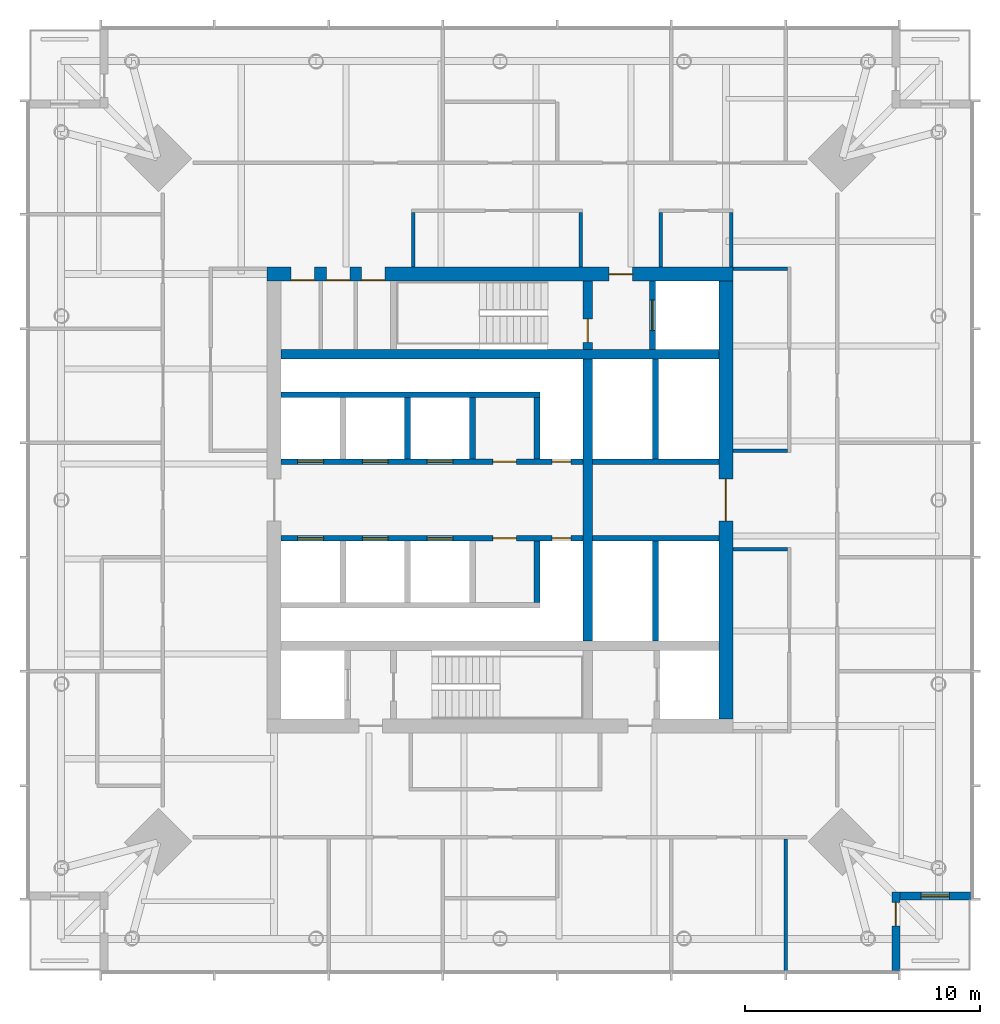
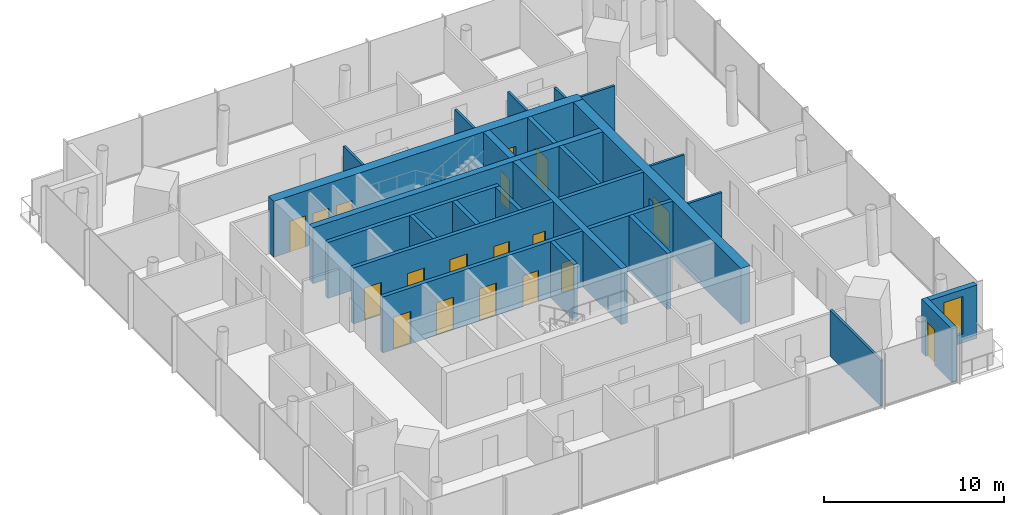
# One storey, part 5 of 7: 27 walls, 18 doors, 1 window, 19 openings.
"""IFC4 building model written with IfcOpenShell, lengths in metres."""

from ifc_helpers import new_model, si_unit, direction, frame, frame_2d, origin, place, context, subcontext, project, spatial, rectangle, extrude, material, layer, layer_set, type_object, element, fill, save


model = new_model("IFC4")

# Units and contexts
model_context = context("Model", 3, precision=1e-05, world=origin(), true_north=direction((0.0, 1.0)))
body_context = subcontext(model_context, "Body", "Model", "MODEL_VIEW")
ifc_project = project(units=[si_unit("LENGTHUNIT", "METRE"), si_unit("AREAUNIT", "SQUARE_METRE"), si_unit("VOLUMEUNIT", "CUBIC_METRE"), si_unit("PLANEANGLEUNIT", "RADIAN"), si_unit("MASSUNIT", "GRAM", prefix="KILO")], contexts=[model_context])

# Site, building, storey
site_placement = place(None, origin())
site = spatial("IfcSite", under=ifc_project, at=site_placement, CompositionType="ELEMENT")
building_placement = place(site_placement, origin())
building = spatial("IfcBuilding", under=site, at=building_placement, Name="Ostroluk Exchange", CompositionType="ELEMENT")
storey_placement = place(building_placement, frame((0.0, 0.0, 188.199951171875)))
storey = spatial("IfcBuildingStorey", under=building, at=storey_placement, Name="L48", CompositionType="ELEMENT", Elevation=188.199951171875)

# Walls
ifc_material_1 = material(Name="Concrete C50/60", Category="concrete")
ifc_layer_1 = layer(ifc_material_1, 0.39990234375)
ifc_layer_set_1 = layer_set([ifc_layer_1], Name="Core cross wall 400 C50/60")
wall_type_1 = type_object("IfcWallType", Name="Core cross wall 400 C50/60", PredefinedType="SHEAR", material=ifc_layer_set_1)
wall_1_placement = place(storey_placement, frame((35.699951171875, 52.199951171875, 0.0), z_axis=(0.0, 0.0, 1.0), x_axis=(1.0, 0.0, 0.0)))
element("IfcWall", 1, at=wall_1_placement, inside=storey, type_object=wall_type_1, Name="T1 core wall XN", PredefinedType="SHEAR", context=body_context, shape_type="SweptSolid", body=[
    extrude(rectangle(XDim=18.60009765625, YDim=0.39990234375, at=frame_2d((9.300048828125, 0.0))), origin(), (0.0, 0.0, 1.0), 3.800048828125),
])
wall_2_placement = place(storey_placement, frame((48.72998046875, 40.0, 0.0), z_axis=(0.0, 0.0, 1.0), x_axis=(0.0, 1.0, 0.0)))
element("IfcWall", 2, at=wall_2_placement, inside=storey, type_object=wall_type_1, Name="T1 core wall YE2", PredefinedType="SHEAR", context=body_context, shape_type="SweptSolid", body=[
    extrude(rectangle(XDim=12.0, YDim=0.39990234375, at=frame_2d((6.0, 0.0))), origin(), (0.0, 0.0, 1.0), 3.800048828125),
])

# Wall, opening, door
wall_3_placement = place(storey_placement, frame((48.72998046875, 52.39990234375, 0.0), z_axis=(0.0, 0.0, 1.0), x_axis=(0.0, 1.0, 0.0)))
wall_3 = element("IfcWall", 3, at=wall_3_placement, inside=storey, type_object=wall_type_1, Name="T1 core wall YE3", PredefinedType="SHEAR", context=body_context, shape_type="SweptSolid", body=[
    extrude(rectangle(XDim=2.900146484375, YDim=0.39990234375, at=frame_2d((1.4501953125, 0.0))), origin(), (0.0, 0.0, 1.0), 3.800048828125),
])
opening_1_placement = place(wall_3_placement, frame((0.300048828125, 0.0, 0.0)))
opening_1 = element("IfcOpeningElement", 4, at=opening_1_placement, cuts=wall_3, Name="Opening FD60", PredefinedType="OPENING", context=body_context, shape_type="SweptSolid", body=[
    extrude(rectangle(XDim=1.0, YDim=2.10009765625, at=frame_2d((0.5, 1.050048828125))), frame((0.0, 0.2099609375, 0.0), z_axis=(0.0, -1.0, 0.0), x_axis=(1.0, 0.0, 0.0)), (0.0, 0.0, 1.0), 0.419921875),
])
ifc_material_2 = material(Name="Steel", Category="steel")
door_type_1 = type_object("IfcDoorType", Name="Fire door EI 60 1000 x 2100", OperationType="SINGLE_SWING_LEFT", PredefinedType="DOOR", material=ifc_material_2)
door_1_placement = place(opening_1_placement, origin())
door_1 = element("IfcDoor", 5, at=door_1_placement, inside=storey, type_object=door_type_1, Name="Stair T1-S2 door", OperationType="SINGLE_SWING_LEFT", OverallHeight=2.10009765625, OverallWidth=1.0, PredefinedType="DOOR", context=body_context, shape_type="SweptSolid", body=[
    extrude(rectangle(XDim=1.0, YDim=2.10009765625, at=frame_2d((0.5, 1.050048828125))), frame((0.0, 0.02490234375, 0.0), z_axis=(0.0, -1.0, 0.0), x_axis=(1.0, 0.0, 0.0)), (0.0, 0.0, 1.0), 0.050048828125),
])
fill(opening_1, door_1)

ifc_material_3 = material(Name="Concrete C40/50", Category="concrete")
ifc_layer_2 = layer(ifc_material_3, 0.25)
ifc_layer_set_2 = layer_set([ifc_layer_2], Name="Core shaft wall 250")
wall_type_2 = type_object("IfcWallType", Name="Core shaft wall 250", PredefinedType="SHEAR", material=ifc_layer_set_2)
wall_4_placement = place(storey_placement, frame((51.47509765625, 52.39990234375, 0.0), z_axis=(0.0, 0.0, 1.0), x_axis=(0.0, 1.0, 0.0)))
wall_4 = element("IfcWall", 6, at=wall_4_placement, inside=storey, type_object=wall_type_2, Name="Firefighting lift shaft wall", PredefinedType="SHEAR", context=body_context, shape_type="SweptSolid", body=[
    extrude(rectangle(XDim=2.900146484375, YDim=0.25, at=frame_2d((1.4501953125, 0.0))), origin(), (0.0, 0.0, 1.0), 3.800048828125),
])
opening_2_placement = place(wall_4_placement, frame((0.800048828125, 0.0, 0.0)))
opening_2 = element("IfcOpeningElement", 7, at=opening_2_placement, cuts=wall_4, Name="Opening LD2", PredefinedType="OPENING", context=body_context, shape_type="SweptSolid", body=[
    extrude(rectangle(XDim=1.300048828125, YDim=2.199951171875, at=frame_2d((0.64990234375, 1.10009765625))), frame((0.0, 0.135009765625, 0.0), z_axis=(0.0, -1.0, 0.0), x_axis=(1.0, 0.0, 0.0)), (0.0, 0.0, 1.0), 0.27001953125),
])
ifc_material_4 = material(Name="Stainless steel", Category="steel")
door_type_2 = type_object("IfcDoorType", Name="Lift landing door E 60 1300 x 2200", OperationType="DOUBLE_DOOR_SLIDING", PredefinedType="DOOR", material=ifc_material_4)
door_2_placement = place(opening_2_placement, origin())
door_2 = element("IfcDoor", 8, at=door_2_placement, inside=storey, type_object=door_type_2, Name="Lift FL2 landing door", OperationType="DOUBLE_DOOR_SLIDING", OverallHeight=2.199951171875, OverallWidth=1.300048828125, PredefinedType="DOOR", context=body_context, shape_type="SweptSolid", body=[
    extrude(rectangle(XDim=1.300048828125, YDim=2.199951171875, at=frame_2d((0.64990234375, 1.10009765625))), frame((0.0, 0.02490234375, 0.0), z_axis=(0.0, -1.0, 0.0), x_axis=(1.0, 0.0, 0.0)), (0.0, 0.0, 1.0), 0.050048828125),
])
fill(opening_2, door_2)

# Walls
for number, where, z_axis, x_axis, name in (
    (9, (41.074951171875, 47.75, 0.0), (0.0, 0.0, 1.0), (0.0, 1.0, 0.0), "Lift shaft wall"),
    (10, (43.824951171875, 47.75, 0.0), (0.0, 0.0, 1.0), (0.0, 1.0, 0.0), "Lift shaft wall"),
    (11, (46.574951171875, 47.75, 0.0), (0.0, 0.0, 1.0), (0.0, 1.0, 0.0), "Lift shaft wall"),
):
    element("IfcWall", number, at=place(storey_placement, frame(where, z_axis=z_axis, x_axis=x_axis)), inside=storey, type_object=wall_type_2, Name=name, PredefinedType="SHEAR", context=body_context, shape_type="SweptSolid", body=[
        extrude(rectangle(XDim=2.60009765625, YDim=0.25, at=frame_2d((1.300048828125, 0.0))), origin(), (0.0, 0.0, 1.0), 3.800048828125),
    ])
wall_5_placement = place(storey_placement, frame((35.699951171875, 50.47509765625, 0.0), z_axis=(0.0, 0.0, 1.0), x_axis=(1.0, 0.0, 0.0)))
element("IfcWall", 12, at=wall_5_placement, inside=storey, type_object=wall_type_2, Name="Lift shaft wall", PredefinedType="SHEAR", context=body_context, shape_type="SweptSolid", body=[
    extrude(rectangle(XDim=11.0, YDim=0.25, at=frame_2d((5.5, 0.0))), origin(), (0.0, 0.0, 1.0), 3.800048828125),
])

# Wall, openings, doors
wall_6_placement = place(storey_placement, frame((35.699951171875, 47.625, 0.0), z_axis=(0.0, 0.0, 1.0), x_axis=(1.0, 0.0, 0.0)))
wall_6 = element("IfcWall", 13, at=wall_6_placement, inside=storey, type_object=wall_type_2, Name="Lift shaft front wall", PredefinedType="SHEAR", context=body_context, shape_type="SweptSolid", body=[
    extrude(rectangle(XDim=12.830078125, YDim=0.25, at=frame_2d((6.4150390625, 0.0))), origin(), (0.0, 0.0, 1.0), 3.800048828125),
])
opening_3_placement = place(wall_6_placement, frame((0.699951171875, 0.0, 0.0)))
opening_3 = element("IfcOpeningElement", 14, at=opening_3_placement, cuts=wall_6, Name="Opening LD", PredefinedType="OPENING", context=body_context, shape_type="SweptSolid", body=[
    extrude(rectangle(XDim=1.10009765625, YDim=2.199951171875, at=frame_2d((0.550048828125, 1.10009765625))), frame((0.0, 0.135009765625, 0.0), z_axis=(0.0, -1.0, 0.0), x_axis=(1.0, 0.0, 0.0)), (0.0, 0.0, 1.0), 0.27001953125),
])
opening_4_placement = place(wall_6_placement, frame((3.449951171875, 0.0, 0.0)))
opening_4 = element("IfcOpeningElement", 15, at=opening_4_placement, cuts=wall_6, Name="Opening LD", PredefinedType="OPENING", context=body_context, shape_type="SweptSolid", body=[
    extrude(rectangle(XDim=1.10009765625, YDim=2.199951171875, at=frame_2d((0.550048828125, 1.10009765625))), frame((0.0, 0.135009765625, 0.0), z_axis=(0.0, -1.0, 0.0), x_axis=(1.0, 0.0, 0.0)), (0.0, 0.0, 1.0), 0.27001953125),
])
opening_5_placement = place(wall_6_placement, frame((6.199951171875, 0.0, 0.0)))
opening_5 = element("IfcOpeningElement", 16, at=opening_5_placement, cuts=wall_6, Name="Opening LD", PredefinedType="OPENING", context=body_context, shape_type="SweptSolid", body=[
    extrude(rectangle(XDim=1.10009765625, YDim=2.199951171875, at=frame_2d((0.550048828125, 1.10009765625))), frame((0.0, 0.135009765625, 0.0), z_axis=(0.0, -1.0, 0.0), x_axis=(1.0, 0.0, 0.0)), (0.0, 0.0, 1.0), 0.27001953125),
])
opening_6_placement = place(wall_6_placement, frame((9.0, 0.0, 0.0)))
opening_6 = element("IfcOpeningElement", 17, at=opening_6_placement, cuts=wall_6, Name="Opening FD60", PredefinedType="OPENING", context=body_context, shape_type="SweptSolid", body=[
    extrude(rectangle(XDim=1.0, YDim=2.10009765625, at=frame_2d((0.5, 1.050048828125))), frame((0.0, 0.135009765625, 0.0), z_axis=(0.0, -1.0, 0.0), x_axis=(1.0, 0.0, 0.0)), (0.0, 0.0, 1.0), 0.27001953125),
])
opening_7_placement = place(wall_6_placement, frame((11.514892578125, 0.0, 0.0)))
opening_7 = element("IfcOpeningElement", 18, at=opening_7_placement, cuts=wall_6, Name="Opening RD60", PredefinedType="OPENING", context=body_context, shape_type="SweptSolid", body=[
    extrude(rectangle(XDim=0.800048828125, YDim=2.0, at=frame_2d((0.39990234375, 1.0))), frame((0.0, 0.135009765625, 0.0), z_axis=(0.0, -1.0, 0.0), x_axis=(1.0, 0.0, 0.0)), (0.0, 0.0, 1.0), 0.27001953125),
])
door_3_placement = place(opening_6_placement, origin())
door_3 = element("IfcDoor", 19, at=door_3_placement, inside=storey, type_object=door_type_1, Name="Core room door", OperationType="SINGLE_SWING_RIGHT", OverallHeight=2.10009765625, OverallWidth=1.0, PredefinedType="DOOR", context=body_context, shape_type="SweptSolid", body=[
    extrude(rectangle(XDim=1.0, YDim=2.10009765625, at=frame_2d((0.5, 1.050048828125))), frame((0.0, 0.02490234375, 0.0), z_axis=(0.0, -1.0, 0.0), x_axis=(1.0, 0.0, 0.0)), (0.0, 0.0, 1.0), 0.050048828125),
])
fill(opening_6, door_3)
ifc_material_5 = material(Name="Stainless steel", Category="steel")
door_type_3 = type_object("IfcDoorType", Name="Lift landing door E 60 1100 x 2200", OperationType="DOUBLE_DOOR_SLIDING", PredefinedType="DOOR", material=ifc_material_5)
door_4_placement = place(opening_3_placement, origin())
door_4 = element("IfcDoor", 20, at=door_4_placement, inside=storey, type_object=door_type_3, Name="Lift PL-H1 landing door", OperationType="DOUBLE_DOOR_SLIDING", OverallHeight=2.199951171875, OverallWidth=1.10009765625, PredefinedType="DOOR", context=body_context, shape_type="SweptSolid", body=[
    extrude(rectangle(XDim=1.10009765625, YDim=2.199951171875, at=frame_2d((0.550048828125, 1.10009765625))), frame((0.0, 0.02490234375, 0.0), z_axis=(0.0, -1.0, 0.0), x_axis=(1.0, 0.0, 0.0)), (0.0, 0.0, 1.0), 0.050048828125),
])
fill(opening_3, door_4)
door_5_placement = place(opening_4_placement, origin())
door_5 = element("IfcDoor", 21, at=door_5_placement, inside=storey, type_object=door_type_3, Name="Lift PL-H2 landing door", OperationType="DOUBLE_DOOR_SLIDING", OverallHeight=2.199951171875, OverallWidth=1.10009765625, PredefinedType="DOOR", context=body_context, shape_type="SweptSolid", body=[
    extrude(rectangle(XDim=1.10009765625, YDim=2.199951171875, at=frame_2d((0.550048828125, 1.10009765625))), frame((0.0, 0.02490234375, 0.0), z_axis=(0.0, -1.0, 0.0), x_axis=(1.0, 0.0, 0.0)), (0.0, 0.0, 1.0), 0.050048828125),
])
fill(opening_4, door_5)
door_6_placement = place(opening_5_placement, origin())
door_6 = element("IfcDoor", 22, at=door_6_placement, inside=storey, type_object=door_type_3, Name="Lift PL-H3 landing door", OperationType="DOUBLE_DOOR_SLIDING", OverallHeight=2.199951171875, OverallWidth=1.10009765625, PredefinedType="DOOR", context=body_context, shape_type="SweptSolid", body=[
    extrude(rectangle(XDim=1.10009765625, YDim=2.199951171875, at=frame_2d((0.550048828125, 1.10009765625))), frame((0.0, 0.02490234375, 0.0), z_axis=(0.0, -1.0, 0.0), x_axis=(1.0, 0.0, 0.0)), (0.0, 0.0, 1.0), 0.050048828125),
])
fill(opening_5, door_6)
ifc_material_6 = material(Name="Steel", Category="steel")
door_type_4 = type_object("IfcDoorType", Name="Riser access door EI 60 800 x 2000", OperationType="SINGLE_SWING_LEFT", PredefinedType="DOOR", material=ifc_material_6)
door_7_placement = place(opening_7_placement, origin())
door_7 = element("IfcDoor", 23, at=door_7_placement, inside=storey, type_object=door_type_4, Name="Riser access door", OperationType="SINGLE_SWING_RIGHT", OverallHeight=2.0, OverallWidth=0.800048828125, PredefinedType="DOOR", context=body_context, shape_type="SweptSolid", body=[
    extrude(rectangle(XDim=0.800048828125, YDim=2.0, at=frame_2d((0.39990234375, 1.0))), frame((0.0, 0.02490234375, 0.0), z_axis=(0.0, -1.0, 0.0), x_axis=(1.0, 0.0, 0.0)), (0.0, 0.0, 1.0), 0.050048828125),
])
fill(opening_7, door_7)

# Wall
wall_7_placement = place(storey_placement, frame((46.574951171875, 44.25, 0.0), z_axis=(0.0, 0.0, 1.0), x_axis=(0.0, -1.0, 0.0)))
element("IfcWall", 24, at=wall_7_placement, inside=storey, type_object=wall_type_2, Name="Lift shaft wall", PredefinedType="SHEAR", context=body_context, shape_type="SweptSolid", body=[
    extrude(rectangle(XDim=2.60009765625, YDim=0.25, at=frame_2d((1.300048828125, 0.0))), origin(), (0.0, 0.0, 1.0), 3.800048828125),
])

# Wall, openings, doors
wall_8_placement = place(storey_placement, frame((35.699951171875, 44.375, 0.0), z_axis=(0.0, 0.0, 1.0), x_axis=(1.0, 0.0, 0.0)))
wall_8 = element("IfcWall", 25, at=wall_8_placement, inside=storey, type_object=wall_type_2, Name="Lift shaft front wall", PredefinedType="SHEAR", context=body_context, shape_type="SweptSolid", body=[
    extrude(rectangle(XDim=12.830078125, YDim=0.25, at=frame_2d((6.4150390625, 0.0))), origin(), (0.0, 0.0, 1.0), 3.800048828125),
])
opening_8_placement = place(wall_8_placement, frame((0.699951171875, 0.0, 0.0)))
opening_8 = element("IfcOpeningElement", 26, at=opening_8_placement, cuts=wall_8, Name="Opening LD", PredefinedType="OPENING", context=body_context, shape_type="SweptSolid", body=[
    extrude(rectangle(XDim=1.10009765625, YDim=2.199951171875, at=frame_2d((0.550048828125, 1.10009765625))), frame((0.0, 0.135009765625, 0.0), z_axis=(0.0, -1.0, 0.0), x_axis=(1.0, 0.0, 0.0)), (0.0, 0.0, 1.0), 0.27001953125),
])
opening_9_placement = place(wall_8_placement, frame((3.449951171875, 0.0, 0.0)))
opening_9 = element("IfcOpeningElement", 27, at=opening_9_placement, cuts=wall_8, Name="Opening LD", PredefinedType="OPENING", context=body_context, shape_type="SweptSolid", body=[
    extrude(rectangle(XDim=1.10009765625, YDim=2.199951171875, at=frame_2d((0.550048828125, 1.10009765625))), frame((0.0, 0.135009765625, 0.0), z_axis=(0.0, -1.0, 0.0), x_axis=(1.0, 0.0, 0.0)), (0.0, 0.0, 1.0), 0.27001953125),
])
opening_10_placement = place(wall_8_placement, frame((6.199951171875, 0.0, 0.0)))
opening_10 = element("IfcOpeningElement", 28, at=opening_10_placement, cuts=wall_8, Name="Opening LD", PredefinedType="OPENING", context=body_context, shape_type="SweptSolid", body=[
    extrude(rectangle(XDim=1.10009765625, YDim=2.199951171875, at=frame_2d((0.550048828125, 1.10009765625))), frame((0.0, 0.135009765625, 0.0), z_axis=(0.0, -1.0, 0.0), x_axis=(1.0, 0.0, 0.0)), (0.0, 0.0, 1.0), 0.27001953125),
])
opening_11_placement = place(wall_8_placement, frame((9.0, 0.0, 0.0)))
opening_11 = element("IfcOpeningElement", 29, at=opening_11_placement, cuts=wall_8, Name="Opening FD60", PredefinedType="OPENING", context=body_context, shape_type="SweptSolid", body=[
    extrude(rectangle(XDim=1.0, YDim=2.10009765625, at=frame_2d((0.5, 1.050048828125))), frame((0.0, 0.135009765625, 0.0), z_axis=(0.0, -1.0, 0.0), x_axis=(1.0, 0.0, 0.0)), (0.0, 0.0, 1.0), 0.27001953125),
])
opening_12_placement = place(wall_8_placement, frame((11.514892578125, 0.0, 0.0)))
opening_12 = element("IfcOpeningElement", 30, at=opening_12_placement, cuts=wall_8, Name="Opening RD60", PredefinedType="OPENING", context=body_context, shape_type="SweptSolid", body=[
    extrude(rectangle(XDim=0.800048828125, YDim=2.0, at=frame_2d((0.39990234375, 1.0))), frame((0.0, 0.135009765625, 0.0), z_axis=(0.0, -1.0, 0.0), x_axis=(1.0, 0.0, 0.0)), (0.0, 0.0, 1.0), 0.27001953125),
])
door_8_placement = place(opening_11_placement, origin())
door_8 = element("IfcDoor", 31, at=door_8_placement, inside=storey, type_object=door_type_1, Name="Core room door", OperationType="SINGLE_SWING_RIGHT", OverallHeight=2.10009765625, OverallWidth=1.0, PredefinedType="DOOR", context=body_context, shape_type="SweptSolid", body=[
    extrude(rectangle(XDim=1.0, YDim=2.10009765625, at=frame_2d((0.5, 1.050048828125))), frame((0.0, 0.02490234375, 0.0), z_axis=(0.0, -1.0, 0.0), x_axis=(1.0, 0.0, 0.0)), (0.0, 0.0, 1.0), 0.050048828125),
])
fill(opening_11, door_8)
door_9_placement = place(opening_8_placement, origin())
door_9 = element("IfcDoor", 32, at=door_9_placement, inside=storey, type_object=door_type_3, Name="Lift PL-H4 landing door", OperationType="DOUBLE_DOOR_SLIDING", OverallHeight=2.199951171875, OverallWidth=1.10009765625, PredefinedType="DOOR", context=body_context, shape_type="SweptSolid", body=[
    extrude(rectangle(XDim=1.10009765625, YDim=2.199951171875, at=frame_2d((0.550048828125, 1.10009765625))), frame((0.0, 0.02490234375, 0.0), z_axis=(0.0, -1.0, 0.0), x_axis=(1.0, 0.0, 0.0)), (0.0, 0.0, 1.0), 0.050048828125),
])
fill(opening_8, door_9)
door_10_placement = place(opening_9_placement, origin())
door_10 = element("IfcDoor", 33, at=door_10_placement, inside=storey, type_object=door_type_3, Name="Lift PL-H5 landing door", OperationType="DOUBLE_DOOR_SLIDING", OverallHeight=2.199951171875, OverallWidth=1.10009765625, PredefinedType="DOOR", context=body_context, shape_type="SweptSolid", body=[
    extrude(rectangle(XDim=1.10009765625, YDim=2.199951171875, at=frame_2d((0.550048828125, 1.10009765625))), frame((0.0, 0.02490234375, 0.0), z_axis=(0.0, -1.0, 0.0), x_axis=(1.0, 0.0, 0.0)), (0.0, 0.0, 1.0), 0.050048828125),
])
fill(opening_9, door_10)
door_11_placement = place(opening_10_placement, origin())
door_11 = element("IfcDoor", 34, at=door_11_placement, inside=storey, type_object=door_type_3, Name="Lift PL-H6 landing door", OperationType="DOUBLE_DOOR_SLIDING", OverallHeight=2.199951171875, OverallWidth=1.10009765625, PredefinedType="DOOR", context=body_context, shape_type="SweptSolid", body=[
    extrude(rectangle(XDim=1.10009765625, YDim=2.199951171875, at=frame_2d((0.550048828125, 1.10009765625))), frame((0.0, 0.02490234375, 0.0), z_axis=(0.0, -1.0, 0.0), x_axis=(1.0, 0.0, 0.0)), (0.0, 0.0, 1.0), 0.050048828125),
])
fill(opening_10, door_11)
door_12_placement = place(opening_12_placement, origin())
door_12 = element("IfcDoor", 35, at=door_12_placement, inside=storey, type_object=door_type_4, Name="Riser access door", OperationType="SINGLE_SWING_RIGHT", OverallHeight=2.0, OverallWidth=0.800048828125, PredefinedType="DOOR", context=body_context, shape_type="SweptSolid", body=[
    extrude(rectangle(XDim=0.800048828125, YDim=2.0, at=frame_2d((0.39990234375, 1.0))), frame((0.0, 0.02490234375, 0.0), z_axis=(0.0, -1.0, 0.0), x_axis=(1.0, 0.0, 0.0)), (0.0, 0.0, 1.0), 0.050048828125),
])
fill(opening_12, door_12)

# Walls
wall_9_placement = place(storey_placement, frame((51.614990234375, 47.75, 0.0), z_axis=(0.0, 0.0, 1.0), x_axis=(0.0, 1.0, 0.0)))
element("IfcWall", 36, at=wall_9_placement, inside=storey, type_object=wall_type_2, Name="Lift shaft wall", PredefinedType="SHEAR", context=body_context, shape_type="SweptSolid", body=[
    extrude(rectangle(XDim=4.25, YDim=0.25, at=frame_2d((2.125, 0.0))), origin(), (0.0, 0.0, 1.0), 3.800048828125),
])
wall_10_placement = place(storey_placement, frame((48.929931640625, 47.625, 0.0), z_axis=(0.0, 0.0, 1.0), x_axis=(1.0, 0.0, 0.0)))
element("IfcWall", 37, at=wall_10_placement, inside=storey, type_object=wall_type_2, Name="Lift shaft front wall", PredefinedType="SHEAR", context=body_context, shape_type="SweptSolid", body=[
    extrude(rectangle(XDim=5.3701171875, YDim=0.25, at=frame_2d((2.68505859375, 0.0))), origin(), (0.0, 0.0, 1.0), 3.800048828125),
])
wall_11_placement = place(storey_placement, frame((51.614990234375, 44.25, 0.0), z_axis=(0.0, 0.0, 1.0), x_axis=(0.0, -1.0, 0.0)))
element("IfcWall", 38, at=wall_11_placement, inside=storey, type_object=wall_type_2, Name="Lift shaft wall", PredefinedType="SHEAR", context=body_context, shape_type="SweptSolid", body=[
    extrude(rectangle(XDim=4.25, YDim=0.25, at=frame_2d((2.125, 0.0))), origin(), (0.0, 0.0, 1.0), 3.800048828125),
])
wall_12_placement = place(storey_placement, frame((48.929931640625, 44.375, 0.0), z_axis=(0.0, 0.0, 1.0), x_axis=(1.0, 0.0, 0.0)))
element("IfcWall", 39, at=wall_12_placement, inside=storey, type_object=wall_type_2, Name="Lift shaft front wall", PredefinedType="SHEAR", context=body_context, shape_type="SweptSolid", body=[
    extrude(rectangle(XDim=5.3701171875, YDim=0.25, at=frame_2d((2.68505859375, 0.0))), origin(), (0.0, 0.0, 1.0), 3.800048828125),
])

# Wall, openings, doors
ifc_material_7 = material(Name="Concrete C50/60", Category="concrete")
ifc_layer_3 = layer(ifc_material_7, 0.60009765625)
ifc_layer_set_3 = layer_set([ifc_layer_3], Name="Core wall 600 C50/60")
wall_type_3 = type_object("IfcWallType", Name="Core wall 600 C50/60", PredefinedType="SHEAR", material=ifc_layer_set_3)
wall_13_placement = place(storey_placement, frame((35.10009765625, 55.60009765625, 0.0), z_axis=(0.0, 0.0, 1.0), x_axis=(1.0, 0.0, 0.0)))
wall_13 = element("IfcWall", 40, at=wall_13_placement, inside=storey, type_object=wall_type_3, Name="T1 core wall N", PredefinedType="SHEAR", context=body_context, shape_type="SweptSolid", body=[
    extrude(rectangle(XDim=19.7998046875, YDim=0.60009765625, at=frame_2d((9.89990234375, 0.0))), origin(), (0.0, 0.0, 1.0), 3.800048828125),
])
opening_13_placement = place(wall_13_placement, frame((14.5400390625, 0.0, 0.0)))
opening_13 = element("IfcOpeningElement", 41, at=opening_13_placement, cuts=wall_13, Name="Opening FD60", PredefinedType="OPENING", context=body_context, shape_type="SweptSolid", body=[
    extrude(rectangle(XDim=1.0, YDim=2.10009765625, at=frame_2d((0.5, 1.050048828125))), frame((0.0, 0.31005859375, 0.0), z_axis=(0.0, -1.0, 0.0), x_axis=(1.0, 0.0, 0.0)), (0.0, 0.0, 1.0), 0.6201171875),
])
opening_14_placement = place(wall_13_placement, frame((1.02392578125, 0.0, 0.0)))
opening_14 = element("IfcOpeningElement", 42, at=opening_14_placement, cuts=wall_13, Name="Opening FD60", PredefinedType="OPENING", context=body_context, shape_type="SweptSolid", body=[
    extrude(rectangle(XDim=1.0, YDim=2.10009765625, at=frame_2d((0.5, 1.050048828125))), frame((0.0, 0.31005859375, 0.0), z_axis=(0.0, -1.0, 0.0), x_axis=(1.0, 0.0, 0.0)), (0.0, 0.0, 1.0), 0.6201171875),
])
opening_15_placement = place(wall_13_placement, frame((2.52392578125, 0.0, 0.0)))
opening_15 = element("IfcOpeningElement", 43, at=opening_15_placement, cuts=wall_13, Name="Opening FD60", PredefinedType="OPENING", context=body_context, shape_type="SweptSolid", body=[
    extrude(rectangle(XDim=1.0, YDim=2.10009765625, at=frame_2d((0.5, 1.050048828125))), frame((0.0, 0.31005859375, 0.0), z_axis=(0.0, -1.0, 0.0), x_axis=(1.0, 0.0, 0.0)), (0.0, 0.0, 1.0), 0.6201171875),
])
opening_16_placement = place(wall_13_placement, frame((4.011962890625, 0.0, 0.0)))
opening_16 = element("IfcOpeningElement", 44, at=opening_16_placement, cuts=wall_13, Name="Opening FD60", PredefinedType="OPENING", context=body_context, shape_type="SweptSolid", body=[
    extrude(rectangle(XDim=1.0, YDim=2.10009765625, at=frame_2d((0.5, 1.050048828125))), frame((0.0, 0.31005859375, 0.0), z_axis=(0.0, -1.0, 0.0), x_axis=(1.0, 0.0, 0.0)), (0.0, 0.0, 1.0), 0.6201171875),
])
door_13_placement = place(opening_13_placement, origin())
door_13 = element("IfcDoor", 45, at=door_13_placement, inside=storey, type_object=door_type_1, Name="Firefighting lobby door", OperationType="SINGLE_SWING_RIGHT", OverallHeight=2.10009765625, OverallWidth=1.0, PredefinedType="DOOR", context=body_context, shape_type="SweptSolid", body=[
    extrude(rectangle(XDim=1.0, YDim=2.10009765625, at=frame_2d((0.5, 1.050048828125))), frame((0.0, 0.02490234375, 0.0), z_axis=(0.0, -1.0, 0.0), x_axis=(1.0, 0.0, 0.0)), (0.0, 0.0, 1.0), 0.050048828125),
])
fill(opening_13, door_13)
door_14_placement = place(opening_14_placement, origin())
door_14 = element("IfcDoor", 46, at=door_14_placement, inside=storey, type_object=door_type_1, Name="Comms room door", OperationType="SINGLE_SWING_LEFT", OverallHeight=2.10009765625, OverallWidth=1.0, PredefinedType="DOOR", context=body_context, shape_type="SweptSolid", body=[
    extrude(rectangle(XDim=1.0, YDim=2.10009765625, at=frame_2d((0.5, 1.050048828125))), frame((0.0, -0.23974609375, 0.0), z_axis=(0.0, -1.0, 0.0), x_axis=(1.0, 0.0, 0.0)), (0.0, 0.0, 1.0), 0.050048828125),
])
fill(opening_14, door_14)
door_15_placement = place(opening_15_placement, origin())
door_15 = element("IfcDoor", 47, at=door_15_placement, inside=storey, type_object=door_type_1, Name="Cleaner's store door", OperationType="SINGLE_SWING_LEFT", OverallHeight=2.10009765625, OverallWidth=1.0, PredefinedType="DOOR", context=body_context, shape_type="SweptSolid", body=[
    extrude(rectangle(XDim=1.0, YDim=2.10009765625, at=frame_2d((0.5, 1.050048828125))), frame((0.0, -0.23974609375, 0.0), z_axis=(0.0, -1.0, 0.0), x_axis=(1.0, 0.0, 0.0)), (0.0, 0.0, 1.0), 0.050048828125),
])
fill(opening_15, door_15)
door_16_placement = place(opening_16_placement, origin())
door_16 = element("IfcDoor", 48, at=door_16_placement, inside=storey, type_object=door_type_1, Name="Store door", OperationType="SINGLE_SWING_LEFT", OverallHeight=2.10009765625, OverallWidth=1.0, PredefinedType="DOOR", context=body_context, shape_type="SweptSolid", body=[
    extrude(rectangle(XDim=1.0, YDim=2.10009765625, at=frame_2d((0.5, 1.050048828125))), frame((0.0, -0.23974609375, 0.0), z_axis=(0.0, -1.0, 0.0), x_axis=(1.0, 0.0, 0.0)), (0.0, 0.0, 1.0), 0.050048828125),
])
fill(opening_16, door_16)

# Wall, opening, door
wall_14_placement = place(storey_placement, frame((54.60009765625, 36.699951171875, 0.0), z_axis=(0.0, 0.0, 1.0), x_axis=(0.0, 1.0, 0.0)))
wall_14 = element("IfcWall", 49, at=wall_14_placement, inside=storey, type_object=wall_type_3, Name="T1 core wall E", PredefinedType="SHEAR", context=body_context, shape_type="SweptSolid", body=[
    extrude(rectangle(XDim=18.60009765625, YDim=0.60009765625, at=frame_2d((9.300048828125, 0.0))), origin(), (0.0, 0.0, 1.0), 3.800048828125),
])
opening_17_placement = place(wall_14_placement, frame((8.39990234375, 0.0, 0.0)))
opening_17 = element("IfcOpeningElement", 50, at=opening_17_placement, cuts=wall_14, Name="Opening FD30D", PredefinedType="OPENING", context=body_context, shape_type="SweptSolid", body=[
    extrude(rectangle(XDim=1.800048828125, YDim=2.39990234375, at=frame_2d((0.89990234375, 1.199951171875))), frame((0.0, 0.31005859375, 0.0), z_axis=(0.0, -1.0, 0.0), x_axis=(1.0, 0.0, 0.0)), (0.0, 0.0, 1.0), 0.6201171875),
])
ifc_material_8 = material(Name="Timber", Category="wood")
door_type_5 = type_object("IfcDoorType", Name="Lobby double door EI 30 1800 x 2400", OperationType="DOUBLE_DOOR_SINGLE_SWING", PredefinedType="DOOR", material=ifc_material_8)
door_17_placement = place(opening_17_placement, origin())
door_17 = element("IfcDoor", 51, at=door_17_placement, inside=storey, type_object=door_type_5, Name="Lift lobby doors", OperationType="DOUBLE_DOOR_SINGLE_SWING", OverallHeight=2.39990234375, OverallWidth=1.800048828125, PredefinedType="DOOR", context=body_context, shape_type="SweptSolid", body=[
    extrude(rectangle(XDim=1.800048828125, YDim=2.39990234375, at=frame_2d((0.89990234375, 1.199951171875))), frame((0.0, 0.02490234375, 0.0), z_axis=(0.0, -1.0, 0.0), x_axis=(1.0, 0.0, 0.0)), (0.0, 0.0, 1.0), 0.050048828125),
])
fill(opening_17, door_17)

ifc_material_9 = material(Name="Limestone", Category="masonry")
ifc_layer_4 = layer(ifc_material_9, 0.35009765625)
ifc_layer_set_4 = layer_set([ifc_layer_4], Name="Limestone facade wall 350")
wall_type_4 = type_object("IfcWallType", Name="Limestone facade wall 350", PredefinedType="SOLIDWALL", material=ifc_layer_set_4)
wall_15_placement = place(storey_placement, frame((61.824951171875, 26.0, 0.0), z_axis=(0.0, 0.0, 1.0), x_axis=(0.0, 1.0, 0.0)))
wall_15 = element("IfcWall", 52, at=wall_15_placement, inside=storey, type_object=wall_type_4, Name="Office tower SE corner wall L48 a", PredefinedType="SOLIDWALL", context=body_context, shape_type="SweptSolid", body=[
    extrude(rectangle(XDim=3.35009765625, YDim=0.35009765625, at=frame_2d((1.675048828125, 0.0))), origin(), (0.0, 0.0, 1.0), 3.6201171875),
])
opening_18_placement = place(wall_15_placement, frame((1.89990234375, 0.0, 0.0)))
opening_18 = element("IfcOpeningElement", 53, at=opening_18_placement, cuts=wall_15, Name="Opening D-B1", PredefinedType="OPENING", context=body_context, shape_type="SweptSolid", body=[
    extrude(rectangle(XDim=1.0, YDim=2.39990234375, at=frame_2d((0.5, 1.199951171875))), frame((0.0, 0.18505859375, 0.0), z_axis=(0.0, -1.0, 0.0), x_axis=(1.0, 0.0, 0.0)), (0.0, 0.0, 1.0), 0.3701171875),
])
ifc_material_10 = material(Name="Bronze framed glazed door", Category="aluminium")
door_type_6 = type_object("IfcDoorType", Name="Balcony door 1000 x 2400", OperationType="SINGLE_SWING_LEFT", PredefinedType="DOOR", material=ifc_material_10)
door_18_placement = place(opening_18_placement, origin())
door_18 = element("IfcDoor", 54, at=door_18_placement, inside=storey, type_object=door_type_6, Name="Office tower SE balcony door L48", OperationType="SINGLE_SWING_RIGHT", OverallHeight=2.39990234375, OverallWidth=1.0, PredefinedType="DOOR", context=body_context, shape_type="SweptSolid", body=[
    extrude(rectangle(XDim=1.0, YDim=2.39990234375, at=frame_2d((0.5, 1.199951171875))), frame((0.0, 0.02490234375, 0.0), z_axis=(0.0, -1.0, 0.0), x_axis=(1.0, 0.0, 0.0)), (0.0, 0.0, 1.0), 0.050048828125),
])
fill(opening_18, door_18)

# Wall, opening, window
wall_16_placement = place(storey_placement, frame((62.0, 29.175048828125, 0.0), z_axis=(0.0, 0.0, 1.0), x_axis=(1.0, 0.0, 0.0)))
wall_16 = element("IfcWall", 55, at=wall_16_placement, inside=storey, type_object=wall_type_4, Name="Office tower SE corner wall L48 b", PredefinedType="SOLIDWALL", context=body_context, shape_type="SweptSolid", body=[
    extrude(rectangle(XDim=3.0, YDim=0.35009765625, at=frame_2d((1.5, 0.0))), origin(), (0.0, 0.0, 1.0), 3.6201171875),
])
opening_19_placement = place(wall_16_placement, frame((0.89990234375, 0.0, 0.60009765625)))
opening_19 = element("IfcOpeningElement", 56, at=opening_19_placement, cuts=wall_16, Name="Opening WN-L1", PredefinedType="OPENING", context=body_context, shape_type="SweptSolid", body=[
    extrude(rectangle(XDim=1.199951171875, YDim=2.550048828125, at=frame_2d((0.60009765625, 1.27490234375))), frame((0.0, 0.18505859375, 0.0), z_axis=(0.0, -1.0, 0.0), x_axis=(1.0, 0.0, 0.0)), (0.0, 0.0, 1.0), 0.3701171875),
])
ifc_material_11 = material(Name="Laminated clear glass", Category="glass")
window_type = type_object("IfcWindowType", Name="Lancet window 1200 x 2550", PartitioningType="SINGLE_PANEL", PredefinedType="WINDOW", material=ifc_material_11)
window_placement = place(opening_19_placement, origin())
window = element("IfcWindow", 57, at=window_placement, inside=storey, type_object=window_type, Name="Office tower SE lancet window L48", OverallHeight=2.550048828125, OverallWidth=1.199951171875, PartitioningType="SINGLE_PANEL", PredefinedType="WINDOW", context=body_context, shape_type="SweptSolid", body=[
    extrude(rectangle(XDim=1.199951171875, YDim=2.550048828125, at=frame_2d((0.60009765625, 1.27490234375))), frame((0.0, 0.030029296875, 0.0), z_axis=(0.0, -1.0, 0.0), x_axis=(1.0, 0.0, 0.0)), (0.0, 0.0, 1.0), 0.06005859375),
])
fill(opening_19, window)

# Walls
ifc_material_12 = material(Name="Gypsum plasterboard partition", Category="gypsum")
ifc_layer_5 = layer(ifc_material_12, 0.14990234375)
ifc_layer_set_5 = layer_set([ifc_layer_5], Name="Plasterboard partition 150")
wall_type_5 = type_object("IfcWallType", Name="Plasterboard partition 150", PredefinedType="PARTITIONING", material=ifc_layer_set_5)
for number, where, z_axis, x_axis, name in (
    (58, (54.89990234375, 43.89990234375, 0.0), (0.0, 0.0, 1.0), (1.0, 0.0, 0.0), "Partition"),
    (59, (54.89990234375, 48.10009765625, 0.0), (0.0, 0.0, 1.0), (1.0, 0.0, 0.0), "Partition"),
    (60, (54.89990234375, 55.824951171875, 0.0), (0.0, 0.0, 1.0), (1.0, 0.0, 0.0), "Partition"),
):
    element("IfcWall", number, at=place(storey_placement, frame(where, z_axis=z_axis, x_axis=x_axis)), inside=storey, type_object=wall_type_5, Name=name, PredefinedType="PARTITIONING", context=body_context, shape_type="SweptSolid", body=[
        extrude(rectangle(XDim=2.3251953125, YDim=0.14990234375, at=frame_2d((1.16259765625, 0.0))), origin(), (0.0, 0.0, 1.0), 3.6201171875),
    ])
wall_17_placement = place(storey_placement, frame((54.824951171875, 55.89990234375, 0.0), z_axis=(0.0, 0.0, 1.0), x_axis=(0.0, 1.0, 0.0)))
element("IfcWall", 61, at=wall_17_placement, inside=storey, type_object=wall_type_5, Name="Partition", PredefinedType="PARTITIONING", context=body_context, shape_type="SweptSolid", body=[
    extrude(rectangle(XDim=2.3251953125, YDim=0.14990234375, at=frame_2d((1.16259765625, 0.0))), origin(), (0.0, 0.0, 1.0), 2.866943359375),
])
for number, where, z_axis, x_axis, name in (
    (62, (51.840087890625, 55.89990234375, 0.0), (0.0, 0.0, 1.0), (0.0, 1.0, 0.0), "Partition"),
    (63, (48.43994140625, 55.89990234375, 0.0), (0.0, 0.0, 1.0), (0.0, 1.0, 0.0), "Partition"),
    (64, (41.31201171875, 55.89990234375, 0.0), (0.0, 0.0, 1.0), (0.0, 1.0, 0.0), "Partition"),
):
    element("IfcWall", number, at=place(storey_placement, frame(where, z_axis=z_axis, x_axis=x_axis)), inside=storey, type_object=wall_type_5, Name=name, PredefinedType="PARTITIONING", context=body_context, shape_type="SweptSolid", body=[
        extrude(rectangle(XDim=2.3251953125, YDim=0.14990234375, at=frame_2d((1.16259765625, 0.0))), origin(), (0.0, 0.0, 1.0), 3.6201171875),
    ])
wall_18_placement = place(storey_placement, frame((57.142822265625, 31.60009765625, 0.0), z_axis=(0.0, 0.0, 1.0), x_axis=(0.0, -1.0, 0.0)))
element("IfcWall", 65, at=wall_18_placement, inside=storey, type_object=wall_type_5, Name="Partition", PredefinedType="PARTITIONING", context=body_context, shape_type="SweptSolid", body=[
    extrude(rectangle(XDim=5.64013671875, YDim=0.14990234375, at=frame_2d((2.820068359375, 0.0))), origin(), (0.0, 0.0, 1.0), 3.1201171875),
])

save(model, "model.ifc")
